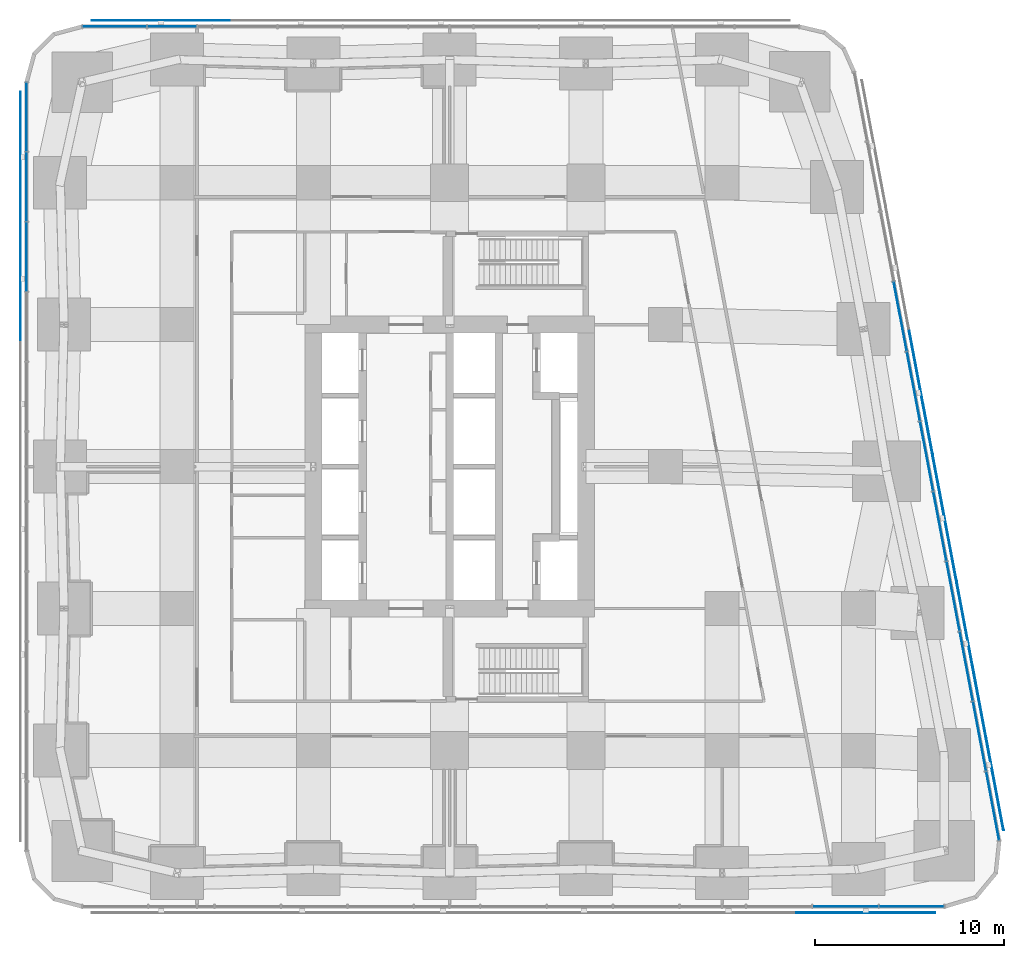
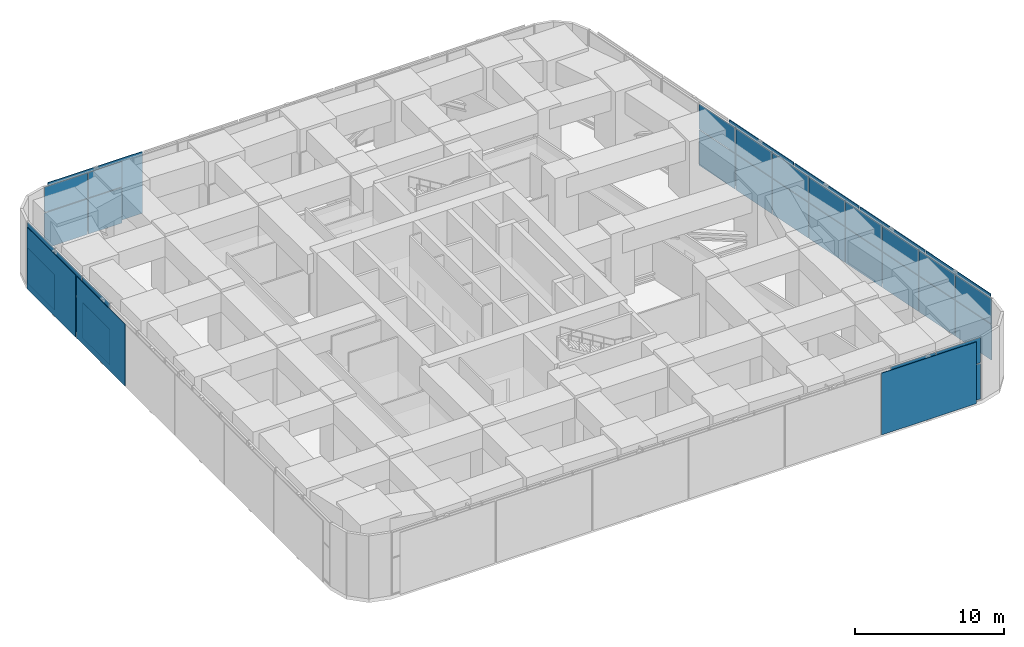
# One storey, part 11 of 20: 37 plates, 4 elements without a shape of their own.
"""IFC4 building model written with IfcOpenShell, lengths in metres."""

from ifc_helpers import new_model, si_unit, direction, frame, origin, origin_2d, place, context, subcontext, project, spatial, rectangle, extrude, material, layer, layer_set, type_object, element, aggregate, save


model = new_model("IFC4")

# Units and contexts
model_context = context("Model", 3, precision=1e-05, world=origin(), true_north=direction((0.0, 1.0)))
body_context = subcontext(model_context, "Body", "Model", "MODEL_VIEW")
ifc_project = project(units=[si_unit("LENGTHUNIT", "METRE"), si_unit("AREAUNIT", "SQUARE_METRE"), si_unit("VOLUMEUNIT", "CUBIC_METRE"), si_unit("PLANEANGLEUNIT", "RADIAN"), si_unit("MASSUNIT", "GRAM", prefix="KILO")], contexts=[model_context])

# Site, building, storey
site_placement = place(None, origin())
site = spatial("IfcSite", under=ifc_project, at=site_placement, CompositionType="ELEMENT")
building_placement = place(site_placement, origin())
building = spatial("IfcBuilding", under=site, at=building_placement, Name="Sheger Commons Tower", CompositionType="ELEMENT")
storey_placement = place(building_placement, frame((0.0, 0.0, 72.5)))
storey = spatial("IfcBuildingStorey", under=building, at=storey_placement, Name="L18", CompositionType="ELEMENT", Elevation=72.5)

# Curtain wall, plates
ifc_material_1 = material(Name="Black aluminium curtain wall, dark tinted glazing", Category="aluminium")
curtain_wall_type = type_object("IfcCurtainWallType", Name="CURTAIN WALL CW3 SKY FLOOR", PredefinedType="USERDEFINED", material=ifc_material_1)
curtain_wall_1_placement = place(storey_placement, origin())
curtain_wall_1 = element("IfcCurtainWall", 1, at=curtain_wall_1_placement, inside=storey, type_object=curtain_wall_type, Name="Curtain Wall Cw3 Sky Floor S1 L18", ObjectType="UNITISED CURTAIN WALL", PredefinedType="USERDEFINED")
ifc_material_2 = material(Name="Dark tinted double glazing", Category="glass")
ifc_layer_1 = layer(ifc_material_2, 0.031982421875)
ifc_layer_set_1 = layer_set([ifc_layer_1], Name="GLAZED PANEL 32")
plate_type_1 = type_object("IfcPlateType", Name="GLAZED PANEL 32", PredefinedType="CURTAIN_PANEL", material=ifc_layer_set_1)
plate_1_placement = place(storey_placement, frame((42.52587890625, -0.75, 3.03271484375), z_axis=(0.0, 0.0, 1.0), x_axis=(1.0, 0.0, 0.0)))
plate_1 = element("IfcPlate", 2, at=plate_1_placement, type_object=plate_type_1, Name="CW3 panel 15.2", PredefinedType="CURTAIN_PANEL", context=body_context, shape_type="SweptSolid", body=[
    extrude(rectangle(XDim=3.445068359375, YDim=0.031982421875, at=origin_2d()), origin(), (0.0, 0.0, 1.0), 2.052490234375),
])
plate_2_placement = place(storey_placement, frame((46.019775390625, -0.75, 0.06494140625), z_axis=(0.0, 0.0, 1.0), x_axis=(1.0, 0.0, 0.0)))
plate_2 = element("IfcPlate", 3, at=plate_2_placement, type_object=plate_type_1, Name="CW3 panel 16.1", PredefinedType="CURTAIN_PANEL", context=body_context, shape_type="SweptSolid", body=[
    extrude(rectangle(XDim=3.41259765625, YDim=0.031982421875, at=origin_2d()), origin(), (0.0, 0.0, 1.0), 2.902587890625),
])
plate_3_placement = place(storey_placement, frame((46.019775390625, -0.75, 3.03271484375), z_axis=(0.0, 0.0, 1.0), x_axis=(1.0, 0.0, 0.0)))
plate_3 = element("IfcPlate", 4, at=plate_3_placement, type_object=plate_type_1, Name="CW3 panel 16.2", PredefinedType="CURTAIN_PANEL", context=body_context, shape_type="SweptSolid", body=[
    extrude(rectangle(XDim=3.41259765625, YDim=0.031982421875, at=origin_2d()), origin(), (0.0, 0.0, 1.0), 2.052490234375),
])
aggregate(curtain_wall_1, [plate_1, plate_2, plate_3])

curtain_wall_2_placement = place(storey_placement, origin())
curtain_wall_2 = element("IfcCurtainWall", 5, at=curtain_wall_2_placement, inside=storey, type_object=curtain_wall_type, Name="Curtain Wall Cw3 Sky Floor E1 L18", ObjectType="UNITISED CURTAIN WALL", PredefinedType="USERDEFINED")
plate_4_placement = place(storey_placement, frame((50.30078125, 4.56787109375, 0.06494140625), z_axis=(0.0, 0.0, 1.0), x_axis=(-0.185609884918, 0.982623514181, 0.0)))
plate_4 = element("IfcPlate", 6, at=plate_4_placement, type_object=plate_type_1, Name="CW3 panel 1.1", PredefinedType="CURTAIN_PANEL", context=body_context, shape_type="SweptSolid", body=[
    extrude(rectangle(XDim=3.66552734375, YDim=0.031982421875, at=origin_2d()), origin(), (0.0, 0.0, 1.0), 2.902587890625),
])
plate_5_placement = place(storey_placement, frame((50.30078125, 4.56787109375, 3.03271484375), z_axis=(0.0, 0.0, 1.0), x_axis=(-0.185609884918, 0.982623514181, 0.0)))
plate_5 = element("IfcPlate", 7, at=plate_5_placement, type_object=plate_type_1, Name="CW3 panel 1.2", PredefinedType="CURTAIN_PANEL", context=body_context, shape_type="SweptSolid", body=[
    extrude(rectangle(XDim=3.66552734375, YDim=0.031982421875, at=origin_2d()), origin(), (0.0, 0.0, 1.0), 2.052490234375),
])
plate_6_placement = place(storey_placement, frame((49.605224609375, 8.24951171875, 0.06494140625), z_axis=(0.0, 0.0, 1.0), x_axis=(-0.185609884918, 0.982623514181, 0.0)))
plate_6 = element("IfcPlate", 8, at=plate_6_placement, type_object=plate_type_1, Name="CW3 panel 2.1", PredefinedType="CURTAIN_PANEL", context=body_context, shape_type="SweptSolid", body=[
    extrude(rectangle(XDim=3.697998046875, YDim=0.031982421875, at=origin_2d()), origin(), (0.0, 0.0, 1.0), 2.902587890625),
])
plate_7_placement = place(storey_placement, frame((49.605224609375, 8.24951171875, 3.03271484375), z_axis=(0.0, 0.0, 1.0), x_axis=(-0.185609884918, 0.982623514181, 0.0)))
plate_7 = element("IfcPlate", 9, at=plate_7_placement, type_object=plate_type_1, Name="CW3 panel 2.2", PredefinedType="CURTAIN_PANEL", context=body_context, shape_type="SweptSolid", body=[
    extrude(rectangle(XDim=3.697998046875, YDim=0.031982421875, at=origin_2d()), origin(), (0.0, 0.0, 1.0), 2.052490234375),
])
plate_8_placement = place(storey_placement, frame((48.906982421875, 11.947021484375, 0.06494140625), z_axis=(0.0, 0.0, 1.0), x_axis=(-0.185609884918, 0.982623514181, 0.0)))
plate_8 = element("IfcPlate", 10, at=plate_8_placement, type_object=plate_type_1, Name="CW3 panel 3.1", PredefinedType="CURTAIN_PANEL", context=body_context, shape_type="SweptSolid", body=[
    extrude(rectangle(XDim=3.697998046875, YDim=0.031982421875, at=origin_2d()), origin(), (0.0, 0.0, 1.0), 2.902587890625),
])
plate_9_placement = place(storey_placement, frame((48.906982421875, 11.947021484375, 3.03271484375), z_axis=(0.0, 0.0, 1.0), x_axis=(-0.185609884918, 0.982623514181, 0.0)))
plate_9 = element("IfcPlate", 11, at=plate_9_placement, type_object=plate_type_1, Name="CW3 panel 3.2", PredefinedType="CURTAIN_PANEL", context=body_context, shape_type="SweptSolid", body=[
    extrude(rectangle(XDim=3.697998046875, YDim=0.031982421875, at=origin_2d()), origin(), (0.0, 0.0, 1.0), 2.052490234375),
])
plate_10_placement = place(storey_placement, frame((48.20849609375, 15.644775390625, 0.06494140625), z_axis=(0.0, 0.0, 1.0), x_axis=(-0.185609884918, 0.982623514181, 0.0)))
plate_10 = element("IfcPlate", 12, at=plate_10_placement, type_object=plate_type_1, Name="CW3 panel 4.1", PredefinedType="CURTAIN_PANEL", context=body_context, shape_type="SweptSolid", body=[
    extrude(rectangle(XDim=3.697998046875, YDim=0.031982421875, at=origin_2d()), origin(), (0.0, 0.0, 1.0), 2.902587890625),
])
plate_11_placement = place(storey_placement, frame((48.20849609375, 15.644775390625, 3.03271484375), z_axis=(0.0, 0.0, 1.0), x_axis=(-0.185609884918, 0.982623514181, 0.0)))
plate_11 = element("IfcPlate", 13, at=plate_11_placement, type_object=plate_type_1, Name="CW3 panel 4.2", PredefinedType="CURTAIN_PANEL", context=body_context, shape_type="SweptSolid", body=[
    extrude(rectangle(XDim=3.697998046875, YDim=0.031982421875, at=origin_2d()), origin(), (0.0, 0.0, 1.0), 2.052490234375),
])
plate_12_placement = place(storey_placement, frame((47.510009765625, 19.34228515625, 0.06494140625), z_axis=(0.0, 0.0, 1.0), x_axis=(-0.185609884918, 0.982623514181, 0.0)))
plate_12 = element("IfcPlate", 14, at=plate_12_placement, type_object=plate_type_1, Name="CW3 panel 5.1", PredefinedType="CURTAIN_PANEL", context=body_context, shape_type="SweptSolid", body=[
    extrude(rectangle(XDim=3.697998046875, YDim=0.031982421875, at=origin_2d()), origin(), (0.0, 0.0, 1.0), 2.902587890625),
])
plate_13_placement = place(storey_placement, frame((47.510009765625, 19.34228515625, 3.03271484375), z_axis=(0.0, 0.0, 1.0), x_axis=(-0.185609884918, 0.982623514181, 0.0)))
plate_13 = element("IfcPlate", 15, at=plate_13_placement, type_object=plate_type_1, Name="CW3 panel 5.2", PredefinedType="CURTAIN_PANEL", context=body_context, shape_type="SweptSolid", body=[
    extrude(rectangle(XDim=3.697998046875, YDim=0.031982421875, at=origin_2d()), origin(), (0.0, 0.0, 1.0), 2.052490234375),
])
plate_14_placement = place(storey_placement, frame((46.8115234375, 23.0400390625, 0.06494140625), z_axis=(0.0, 0.0, 1.0), x_axis=(-0.185609884918, 0.982623514181, 0.0)))
plate_14 = element("IfcPlate", 16, at=plate_14_placement, type_object=plate_type_1, Name="CW3 panel 6.1", PredefinedType="CURTAIN_PANEL", context=body_context, shape_type="SweptSolid", body=[
    extrude(rectangle(XDim=3.697998046875, YDim=0.031982421875, at=origin_2d()), origin(), (0.0, 0.0, 1.0), 2.902587890625),
])
plate_15_placement = place(storey_placement, frame((46.8115234375, 23.0400390625, 3.03271484375), z_axis=(0.0, 0.0, 1.0), x_axis=(-0.185609884918, 0.982623514181, 0.0)))
plate_15 = element("IfcPlate", 17, at=plate_15_placement, type_object=plate_type_1, Name="CW3 panel 6.2", PredefinedType="CURTAIN_PANEL", context=body_context, shape_type="SweptSolid", body=[
    extrude(rectangle(XDim=3.697998046875, YDim=0.031982421875, at=origin_2d()), origin(), (0.0, 0.0, 1.0), 2.052490234375),
])
plate_16_placement = place(storey_placement, frame((46.113037109375, 26.737548828125, 0.06494140625), z_axis=(0.0, 0.0, 1.0), x_axis=(-0.185609884918, 0.982623514181, 0.0)))
plate_16 = element("IfcPlate", 18, at=plate_16_placement, type_object=plate_type_1, Name="CW3 panel 7.1", PredefinedType="CURTAIN_PANEL", context=body_context, shape_type="SweptSolid", body=[
    extrude(rectangle(XDim=3.697998046875, YDim=0.031982421875, at=origin_2d()), origin(), (0.0, 0.0, 1.0), 2.902587890625),
])
plate_17_placement = place(storey_placement, frame((46.113037109375, 26.737548828125, 3.03271484375), z_axis=(0.0, 0.0, 1.0), x_axis=(-0.185609884918, 0.982623514181, 0.0)))
plate_17 = element("IfcPlate", 19, at=plate_17_placement, type_object=plate_type_1, Name="CW3 panel 7.2", PredefinedType="CURTAIN_PANEL", context=body_context, shape_type="SweptSolid", body=[
    extrude(rectangle(XDim=3.697998046875, YDim=0.031982421875, at=origin_2d()), origin(), (0.0, 0.0, 1.0), 2.052490234375),
])
plate_18_placement = place(storey_placement, frame((45.41455078125, 30.435302734375, 0.06494140625), z_axis=(0.0, 0.0, 1.0), x_axis=(-0.185609884918, 0.982623514181, 0.0)))
plate_18 = element("IfcPlate", 20, at=plate_18_placement, type_object=plate_type_1, Name="CW3 panel 8.1", PredefinedType="CURTAIN_PANEL", context=body_context, shape_type="SweptSolid", body=[
    extrude(rectangle(XDim=3.697998046875, YDim=0.031982421875, at=origin_2d()), origin(), (0.0, 0.0, 1.0), 2.902587890625),
])
plate_19_placement = place(storey_placement, frame((45.41455078125, 30.435302734375, 3.03271484375), z_axis=(0.0, 0.0, 1.0), x_axis=(-0.185609884918, 0.982623514181, 0.0)))
plate_19 = element("IfcPlate", 21, at=plate_19_placement, type_object=plate_type_1, Name="CW3 panel 8.2", PredefinedType="CURTAIN_PANEL", context=body_context, shape_type="SweptSolid", body=[
    extrude(rectangle(XDim=3.697998046875, YDim=0.031982421875, at=origin_2d()), origin(), (0.0, 0.0, 1.0), 2.052490234375),
])
aggregate(curtain_wall_2, [plate_4, plate_5, plate_6, plate_7, plate_8, plate_9, plate_10, plate_11, plate_12, plate_13, plate_14, plate_15, plate_16, plate_17, plate_18, plate_19])

curtain_wall_3_placement = place(storey_placement, origin())
curtain_wall_3 = element("IfcCurtainWall", 22, at=curtain_wall_3_placement, inside=storey, type_object=curtain_wall_type, Name="Curtain Wall Cw3 Sky Floor N1 L18", ObjectType="UNITISED CURTAIN WALL", PredefinedType="USERDEFINED")
plate_20_placement = place(storey_placement, frame((6.930908203125, 45.75, 0.06494140625), z_axis=(0.0, 0.0, 1.0), x_axis=(-1.0, 0.0, 0.0)))
plate_20 = element("IfcPlate", 23, at=plate_20_placement, type_object=plate_type_1, Name="CW3 panel 12.1", PredefinedType="CURTAIN_PANEL", context=body_context, shape_type="SweptSolid", body=[
    extrude(rectangle(XDim=2.572998046875, YDim=0.031982421875, at=origin_2d()), origin(), (0.0, 0.0, 1.0), 2.902587890625),
])
plate_21_placement = place(storey_placement, frame((6.930908203125, 45.75, 3.03271484375), z_axis=(0.0, 0.0, 1.0), x_axis=(-1.0, 0.0, 0.0)))
plate_21 = element("IfcPlate", 24, at=plate_21_placement, type_object=plate_type_1, Name="CW3 panel 12.2", PredefinedType="CURTAIN_PANEL", context=body_context, shape_type="SweptSolid", body=[
    extrude(rectangle(XDim=2.572998046875, YDim=0.031982421875, at=origin_2d()), origin(), (0.0, 0.0, 1.0), 2.052490234375),
])
plate_22_placement = place(storey_placement, frame((3.90380859375, 45.75, 0.06494140625), z_axis=(0.0, 0.0, 1.0), x_axis=(-1.0, 0.0, 0.0)))
plate_22 = element("IfcPlate", 25, at=plate_22_placement, type_object=plate_type_1, Name="CW3 panel 13.1", PredefinedType="CURTAIN_PANEL", context=body_context, shape_type="SweptSolid", body=[
    extrude(rectangle(XDim=3.3515625, YDim=0.031982421875, at=origin_2d()), origin(), (0.0, 0.0, 1.0), 2.902587890625),
])
plate_23_placement = place(storey_placement, frame((3.90380859375, 45.75, 3.03271484375), z_axis=(0.0, 0.0, 1.0), x_axis=(-1.0, 0.0, 0.0)))
plate_23 = element("IfcPlate", 26, at=plate_23_placement, type_object=plate_type_1, Name="CW3 panel 13.2", PredefinedType="CURTAIN_PANEL", context=body_context, shape_type="SweptSolid", body=[
    extrude(rectangle(XDim=3.3515625, YDim=0.031982421875, at=origin_2d()), origin(), (0.0, 0.0, 1.0), 2.052490234375),
])
aggregate(curtain_wall_3, [plate_20, plate_21, plate_22, plate_23])

curtain_wall_4_placement = place(storey_placement, origin())
curtain_wall_4 = element("IfcCurtainWall", 27, at=curtain_wall_4_placement, inside=storey, type_object=curtain_wall_type, Name="Curtain Wall Cw3 Sky Floor W1 L18", ObjectType="UNITISED CURTAIN WALL", PredefinedType="USERDEFINED")
plate_24_placement = place(storey_placement, frame((-0.75, 40.9716796875, 0.06494140625), z_axis=(0.0, 0.0, 1.0), x_axis=(0.0, -1.0, 0.0)))
plate_24 = element("IfcPlate", 28, at=plate_24_placement, type_object=plate_type_1, Name="CW3 panel 1.1", PredefinedType="CURTAIN_PANEL", context=body_context, shape_type="SweptSolid", body=[
    extrude(rectangle(XDim=3.6005859375, YDim=0.031982421875, at=origin_2d()), origin(), (0.0, 0.0, 1.0), 2.902587890625),
])
plate_25_placement = place(storey_placement, frame((-0.75, 40.9716796875, 3.03271484375), z_axis=(0.0, 0.0, 1.0), x_axis=(0.0, -1.0, 0.0)))
plate_25 = element("IfcPlate", 29, at=plate_25_placement, type_object=plate_type_1, Name="CW3 panel 1.2", PredefinedType="CURTAIN_PANEL", context=body_context, shape_type="SweptSolid", body=[
    extrude(rectangle(XDim=3.6005859375, YDim=0.031982421875, at=origin_2d()), origin(), (0.0, 0.0, 1.0), 2.052490234375),
])
plate_26_placement = place(storey_placement, frame((-0.75, 37.29052734375, 0.06494140625), z_axis=(0.0, 0.0, 1.0), x_axis=(0.0, -1.0, 0.0)))
plate_26 = element("IfcPlate", 30, at=plate_26_placement, type_object=plate_type_1, Name="CW3 panel 2.1", PredefinedType="CURTAIN_PANEL", context=body_context, shape_type="SweptSolid", body=[
    extrude(rectangle(XDim=3.632080078125, YDim=0.031982421875, at=origin_2d()), origin(), (0.0, 0.0, 1.0), 2.902587890625),
])
plate_27_placement = place(storey_placement, frame((-0.75, 37.29052734375, 3.03271484375), z_axis=(0.0, 0.0, 1.0), x_axis=(0.0, -1.0, 0.0)))
plate_27 = element("IfcPlate", 31, at=plate_27_placement, type_object=plate_type_1, Name="CW3 panel 2.2", PredefinedType="CURTAIN_PANEL", context=body_context, shape_type="SweptSolid", body=[
    extrude(rectangle(XDim=3.632080078125, YDim=0.031982421875, at=origin_2d()), origin(), (0.0, 0.0, 1.0), 2.052490234375),
])
plate_28_placement = place(storey_placement, frame((-0.75, 33.593017578125, 0.06494140625), z_axis=(0.0, 0.0, 1.0), x_axis=(0.0, -1.0, 0.0)))
plate_28 = element("IfcPlate", 32, at=plate_28_placement, type_object=plate_type_1, Name="CW3 panel 3.1", PredefinedType="CURTAIN_PANEL", context=body_context, shape_type="SweptSolid", body=[
    extrude(rectangle(XDim=3.633056640625, YDim=0.031982421875, at=origin_2d()), origin(), (0.0, 0.0, 1.0), 2.902587890625),
])
plate_29_placement = place(storey_placement, frame((-0.75, 33.593017578125, 3.03271484375), z_axis=(0.0, 0.0, 1.0), x_axis=(0.0, -1.0, 0.0)))
plate_29 = element("IfcPlate", 33, at=plate_29_placement, type_object=plate_type_1, Name="CW3 panel 3.2", PredefinedType="CURTAIN_PANEL", context=body_context, shape_type="SweptSolid", body=[
    extrude(rectangle(XDim=3.633056640625, YDim=0.031982421875, at=origin_2d()), origin(), (0.0, 0.0, 1.0), 2.052490234375),
])
aggregate(curtain_wall_4, [plate_24, plate_25, plate_26, plate_27, plate_28, plate_29])

# Plates
ifc_material_3 = material(Name="Perforated black anodised aluminium screen", Category="aluminium")
ifc_layer_2 = layer(ifc_material_3, 0.050048828125)
ifc_layer_set_2 = layer_set([ifc_layer_2], Name="SOLAR SCREEN SCREEN-1")
plate_type_2 = type_object("IfcPlateType", Name="SOLAR SCREEN SCREEN-1", PredefinedType="USERDEFINED", material=ifc_layer_set_2)
plate_30_placement = place(storey_placement, frame((43.5849609375, -1.074951171875, 0.0498046875), z_axis=(0.0, 0.0, 1.0), x_axis=(1.0, 0.0, 0.0)))
element("IfcPlate", 34, at=plate_30_placement, inside=storey, type_object=plate_type_2, Name="Perforated solar screen panel", ObjectType="SCREEN", PredefinedType="USERDEFINED", context=body_context, shape_type="SweptSolid", body=[
    extrude(rectangle(XDim=7.343017578125, YDim=0.050048828125, at=origin_2d()), origin(), (0.0, 0.0, 1.0), 5.050048828125),
])
for number, where, z_axis, x_axis, name in (
    (35, (50.257080078125, 6.550048828125, 0.0498046875), (0.0, 0.0, 1.0), (-0.185615165645, 0.982622516678, 0.0), "Perforated solar screen panel"),
    (36, (49.007080078125, 13.1689453125, 0.0498046875), (0.0, 0.0, 1.0), (-0.185615165645, 0.982622516678, 0.0), "Perforated solar screen panel"),
    (37, (47.756103515625, 19.7890625, 0.0498046875), (0.0, 0.0, 1.0), (-0.185615165645, 0.982622516678, 0.0), "Perforated solar screen panel"),
    (38, (46.506103515625, 26.408935546875, 0.0498046875), (0.0, 0.0, 1.0), (-0.185615165645, 0.982622516678, 0.0), "Perforated solar screen panel"),
):
    element("IfcPlate", number, at=place(storey_placement, frame(where, z_axis=z_axis, x_axis=x_axis)), inside=storey, type_object=plate_type_2, Name=name, ObjectType="SCREEN", PredefinedType="USERDEFINED", context=body_context, shape_type="SweptSolid", body=[
        extrude(rectangle(XDim=6.636962890625, YDim=0.050048828125, at=origin_2d()), origin(), (0.0, 0.0, 1.0), 5.050048828125),
    ])
plate_31_placement = place(storey_placement, frame((6.346923828125, 46.074951171875, 0.0498046875), z_axis=(0.0, 0.0, 1.0), x_axis=(-1.0, 0.0, 0.0)))
element("IfcPlate", 39, at=plate_31_placement, inside=storey, type_object=plate_type_2, Name="Perforated solar screen panel", ObjectType="SCREEN", PredefinedType="USERDEFINED", context=body_context, shape_type="SweptSolid", body=[
    extrude(rectangle(XDim=7.2939453125, YDim=0.050048828125, at=origin_2d()), origin(), (0.0, 0.0, 1.0), 5.050048828125),
])
for number, where, z_axis, x_axis, name in (
    (40, (-1.074951171875, 39.0419921875, 0.0498046875), (0.0, 0.0, 1.0), (0.0, -1.0, 0.0), "Perforated solar screen panel"),
    (41, (-1.074951171875, 32.425048828125, 0.0498046875), (0.0, 0.0, 1.0), (0.0, -1.0, 0.0), "Perforated solar screen panel"),
):
    element("IfcPlate", number, at=place(storey_placement, frame(where, z_axis=z_axis, x_axis=x_axis)), inside=storey, type_object=plate_type_2, Name=name, ObjectType="SCREEN", PredefinedType="USERDEFINED", context=body_context, shape_type="SweptSolid", body=[
        extrude(rectangle(XDim=6.51708984375, YDim=0.050048828125, at=origin_2d()), origin(), (0.0, 0.0, 1.0), 5.050048828125),
    ])

save(model, "model.ifc")
